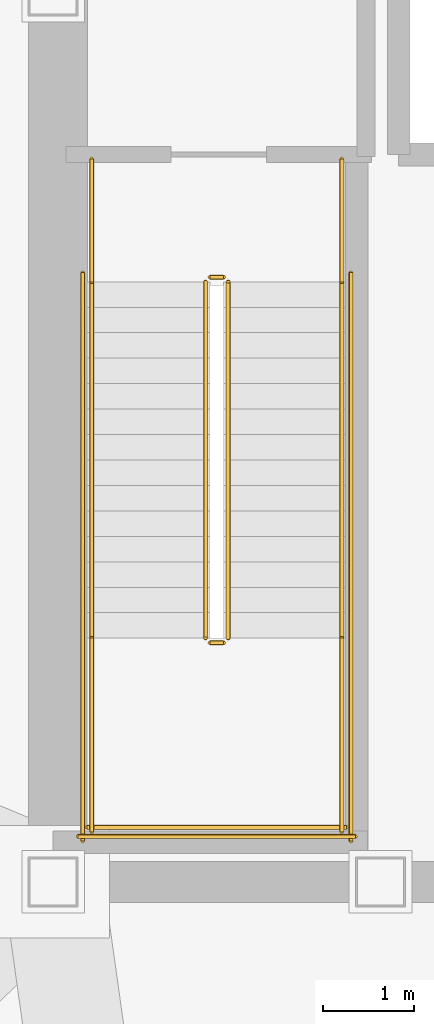
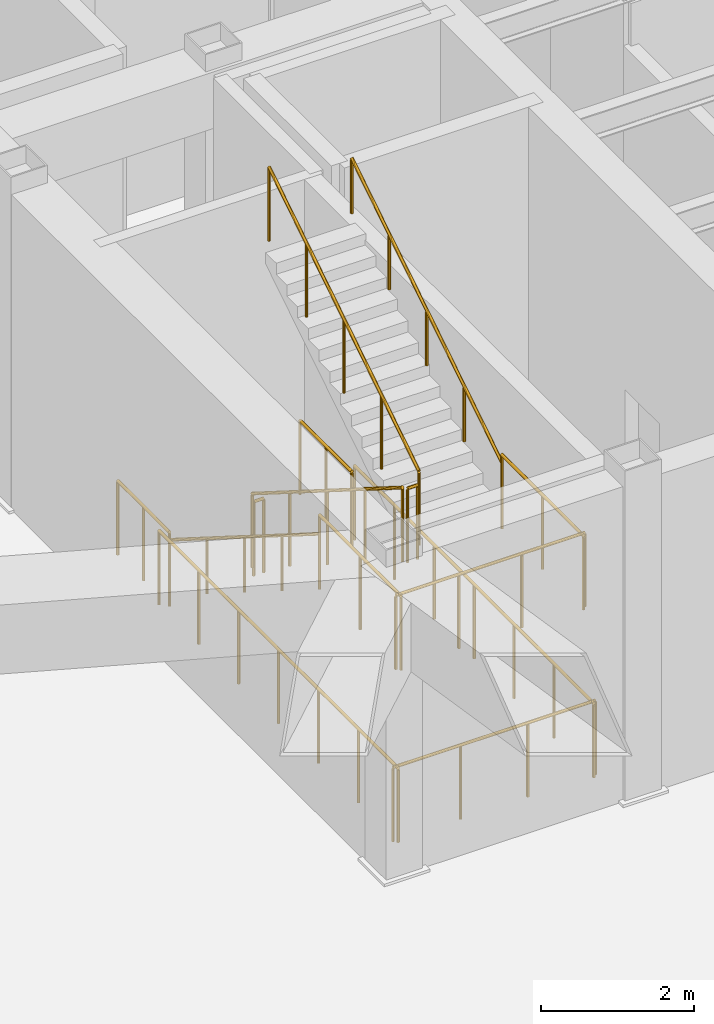
# One storey, part 21 of 22: 14 railings.
"""IFC4 building model written with IfcOpenShell, lengths in metres."""

import ifcopenshell
import ifcopenshell.guid

model = None  # the IFC model being written
_history = None  # IfcOwnerHistory: only IFC2X3 demands one
_inside = {}  # id of a spatial element -> (the spatial element, [elements in it])
_under = {}  # id of a project, library or spatial element -> (it, [spatial elements below it])
_declared = {}  # id of a project -> (the project, [libraries it declares])
_typed = {}  # id of a type object -> (the type object, [elements of that type])
_made_of = {}  # id of a material, layer set ... -> (it, [elements and type objects made of it])


def new_model(schema):
    """Start an empty IFC model of exactly this schema.

    Asked for "IFC4X3", IfcOpenShell would pick the latest addendum, in which some entities
    have other attributes; the version numbers below select the first issue.
    IFC2X3 requires an IfcOwnerHistory on every rooted entity: one is made here for all.
    """
    global model, _history
    if schema == "IFC4X3":
        model = ifcopenshell.file(schema_version=(4, 3, 0, 0))
    else:
        model = ifcopenshell.file(schema=schema)
    _inside.clear()
    _under.clear()
    _declared.clear()
    _typed.clear()
    _made_of.clear()
    _history = None
    if model.schema == "IFC2X3":
        org = make("IfcOrganization", Name="unknown")
        user = make(
            "IfcPersonAndOrganization",
            ThePerson=make("IfcPerson", FamilyName="unknown"),
            TheOrganization=org,
        )
        app = make(
            "IfcApplication",
            ApplicationDeveloper=org,
            Version="unknown",
            ApplicationFullName="unknown",
            ApplicationIdentifier="unknown",
        )
        _history = make(
            "IfcOwnerHistory",
            OwningUser=user,
            OwningApplication=app,
            ChangeAction="ADDED",
            CreationDate=0,
        )
    return model


def make(cls, **values):
    """One entity of the class cls with the attributes given. An attribute that is None is left unset."""
    return model.create_entity(
        cls, **{name: value for name, value in values.items() if value is not None}
    )


def rooted(cls, **values):
    """An entity with a GlobalId (a new one), such as an element, a storey or a relation."""
    return make(cls, GlobalId=ifcopenshell.guid.new(), OwnerHistory=_history, **values)


def si_unit(unit_type, name, prefix=None):
    """IfcSIUnit, for example si_unit("LENGTHUNIT", "METRE", prefix="MILLI")."""
    return make("IfcSIUnit", UnitType=unit_type, Prefix=prefix, Name=name)


def assignment(units):
    """IfcUnitAssignment: the units of a project."""
    return None if units is None else make("IfcUnitAssignment", Units=units)


def point(xyz):
    """IfcCartesianPoint."""
    return None if xyz is None else make("IfcCartesianPoint", Coordinates=xyz)


def direction(xyz):
    """IfcDirection."""
    return None if xyz is None else make("IfcDirection", DirectionRatios=xyz)


def frame(location, z_axis=None, x_axis=None):
    """IfcAxis2Placement3D, a coordinate frame: its origin and axes. An axis left out is left unset."""
    return make(
        "IfcAxis2Placement3D",
        Location=point(location),
        Axis=direction(z_axis),
        RefDirection=direction(x_axis),
    )


def frame_2d(location, x_axis=None):
    """IfcAxis2Placement2D, a coordinate frame in the plane: its origin and x axis."""
    return make(
        "IfcAxis2Placement2D", Location=point(location), RefDirection=direction(x_axis)
    )


def origin():
    """The frame at (0, 0, 0) with its axes left unset."""
    return frame((0.0, 0.0, 0.0))


def origin_2d():
    """The frame at (0, 0) in the plane with its x axis left unset."""
    return frame_2d((0.0, 0.0))


def place(relative_to, where):
    """IfcLocalPlacement: puts the frame where relative to a parent placement (None: the world)."""
    return make(
        "IfcLocalPlacement", PlacementRelTo=relative_to, RelativePlacement=where
    )


def context(
    kind, dimensions, precision=None, world=None, true_north=None, identifier=None
):
    """IfcGeometricRepresentationContext, for example the 3D "Model" context."""
    return make(
        "IfcGeometricRepresentationContext",
        ContextIdentifier=identifier,
        ContextType=kind,
        CoordinateSpaceDimension=dimensions,
        Precision=precision,
        WorldCoordinateSystem=world,
        TrueNorth=true_north,
    )


def subcontext(parent, identifier, kind, view, scale=None):
    """IfcGeometricRepresentationSubContext, for example "Body" below "Model"."""
    return make(
        "IfcGeometricRepresentationSubContext",
        ContextIdentifier=identifier,
        ContextType=kind,
        ParentContext=parent,
        TargetScale=scale,
        TargetView=view,
    )


def project(units=None, contexts=None):
    """IfcProject with its units and contexts."""
    return rooted(
        "IfcProject",
        Name="project",
        RepresentationContexts=contexts,
        UnitsInContext=assignment(units),
    )


def spatial(cls, under=None, at=None, **own):
    """A site, building, storey or space (cls), placed at a placement, below another one or the project."""
    s = rooted(cls, ObjectPlacement=at, **own)
    if under is not None:
        _under.setdefault(under.id(), (under, []))[1].append(s)
    return s


def profile(cls, at=None, kind="AREA", **sizes):
    """A parametric profile (cls). Its sizes go by their IFC names, for example OverallWidth=200.0."""
    return make(cls, ProfileType=kind, Position=at, **sizes)


def circle(**sizes):
    """IfcCircleProfileDef."""
    return profile("IfcCircleProfileDef", **sizes)


def extrude(swept, where, along, depth):
    """IfcExtrudedAreaSolid: the profile swept, set in the frame where, extruded along a direction by depth."""
    return make(
        "IfcExtrudedAreaSolid",
        SweptArea=swept,
        Position=where,
        ExtrudedDirection=direction(along),
        Depth=depth,
    )


def shape(context_of_items, identifier, shape_type, items):
    """IfcShapeRepresentation: the items that make up one representation, for example the "Body"."""
    return make(
        "IfcShapeRepresentation",
        ContextOfItems=context_of_items,
        RepresentationIdentifier=identifier,
        RepresentationType=shape_type,
        Items=items,
    )


def material(Name=None, Category=None):
    """IfcMaterial."""
    return make("IfcMaterial", Name=Name, Category=Category)


def made_of(thing, what):
    """Note that an element or type object is made of a material, layer set ...; save() writes the relation."""
    if what is not None:
        _made_of.setdefault(what.id(), (what, []))[1].append(thing)
    return thing


def type_object(cls, material=None, **own):
    """A type object (cls), such as IfcWallType, which elements share."""
    return made_of(rooted(cls, **own), material)


def element(
    cls,
    number,
    at=None,
    inside=None,
    cuts=None,
    type_object=None,
    material=None,
    context=None,
    identifier="Body",
    shape_type=None,
    held_by="IfcProductDefinitionShape",
    body=None,
    shapes=None,
    **own,
):
    """One element of the class cls, such as IfcWall. Its Tag is "e" and its number.

    at: its placement. inside: the storey or other place that contains it. cuts: it is an
    opening in that element (IfcRelVoidsElement). A single representation is given by context,
    identifier, shape_type and body (its items); several are given by shapes. held_by: the class
    of the entity that holds the representations. save() writes the other relations.
    """
    e = rooted(cls, Tag="e%d" % number, ObjectPlacement=at, **own)
    if body is not None:
        shapes = [shape(context, identifier, shape_type, body)]
    if shapes is not None:
        e.Representation = make(held_by, Representations=shapes)
    if inside is not None:
        _inside.setdefault(inside.id(), (inside, []))[1].append(e)
    if cuts is not None:
        rooted(
            "IfcRelVoidsElement", RelatingBuildingElement=cuts, RelatedOpeningElement=e
        )
    if type_object is not None:
        _typed.setdefault(type_object.id(), (type_object, []))[1].append(e)
    return made_of(e, material)


def aggregate(whole, parts):
    """IfcRelAggregates: a whole, such as a stair, and the parts it consists of."""
    return rooted("IfcRelAggregates", RelatingObject=whole, RelatedObjects=parts)


def save(model, path):
    """Write the relations noted so far, then the file.

    IfcRelAggregates (storeys below a building ...), IfcRelContainedInSpatialStructure (elements
    in a storey), IfcRelDefinesByType, IfcRelAssociatesMaterial and IfcRelDeclares: one each for
    every whole, place, type object, material and project.
    """
    for whole, parts in _under.values():
        aggregate(whole, parts)
    for where, things in _inside.values():
        rooted(
            "IfcRelContainedInSpatialStructure",
            RelatedElements=things,
            RelatingStructure=where,
        )
    for kind, things in _typed.values():
        rooted("IfcRelDefinesByType", RelatedObjects=things, RelatingType=kind)
    for what, things in _made_of.values():
        rooted("IfcRelAssociatesMaterial", RelatedObjects=things, RelatingMaterial=what)
    for by, libraries in _declared.values():
        rooted("IfcRelDeclares", RelatingContext=by, RelatedDefinitions=libraries)
    model.write(path)


model = new_model("IFC4")

# Units and contexts
model_context = context("Model", 3, precision=1e-05, world=origin(), true_north=direction((0.0, 1.0)))
body_context = subcontext(model_context, "Body", "Model", "MODEL_VIEW")
ifc_project = project(units=[si_unit("LENGTHUNIT", "METRE"), si_unit("AREAUNIT", "SQUARE_METRE"), si_unit("VOLUMEUNIT", "CUBIC_METRE"), si_unit("PLANEANGLEUNIT", "RADIAN"), si_unit("MASSUNIT", "GRAM", prefix="KILO")], contexts=[model_context])

# Site, building, storey
site_placement = place(None, origin())
site = spatial("IfcSite", under=ifc_project, at=site_placement, CompositionType="ELEMENT")
building_placement = place(site_placement, origin())
building = spatial("IfcBuilding", under=site, at=building_placement, Name="Voryun Gate Residences", CompositionType="ELEMENT")
storey_placement = place(building_placement, frame((0.0, 0.0, 310.699951171875)))
storey = spatial("IfcBuildingStorey", under=building, at=storey_placement, Name="L77", CompositionType="ELEMENT", Elevation=310.699951171875)

# Railings
ifc_material_1 = material(Name="Painted steel", Category="steel")
railing_type_1 = type_object("IfcRailingType", Name="RAIL_STAIR_GUARD_1200", PredefinedType="GUARDRAIL", material=ifc_material_1)
railing_1_placement = place(storey_placement, frame((-17.52490234375, -0.800048828125, 0.1767578125)))
element("IfcRailing", 1, at=railing_1_placement, inside=storey, type_object=railing_type_1, Name="L77 ST-W1 stair guard 1", PredefinedType="GUARDRAIL", context=body_context, shape_type="SweptSolid", body=[
    extrude(circle(Radius=0.02392578125, at=origin_2d()), frame((0.0, 0.0, 1.17578125), z_axis=(0.0, -0.845717874625, 0.533630280756), x_axis=(1.0, 0.0, 0.0)), (0.0, 0.0, 1.0), 4.635009765625),
    extrude(circle(Radius=0.02099609375, at=origin_2d()), origin(), (0.0, 0.0, 1.0), 1.15185546875),
    extrude(circle(Radius=0.02099609375, at=origin_2d()), frame((0.0, -0.97998046875, 0.618408203125)), (0.0, 0.0, 1.0), 1.15185546875),
    extrude(circle(Radius=0.02099609375, at=origin_2d()), frame((0.0, -1.9599609375, 1.23681640625)), (0.0, 0.0, 1.0), 1.15185546875),
    extrude(circle(Radius=0.02099609375, at=origin_2d()), frame((0.0, -2.93994140625, 1.85498046875)), (0.0, 0.0, 1.0), 1.15185546875),
    extrude(circle(Radius=0.02099609375, at=origin_2d()), frame((0.0, -3.919921875, 2.473388671875)), (0.0, 0.0, 1.0), 1.15185546875),
])
railing_2_placement = place(storey_placement, frame((-17.47509765625, -4.77001953125, 2.650146484375)))
element("IfcRailing", 2, at=railing_2_placement, inside=storey, type_object=railing_type_1, Name="L77 ST-W1 stair guard 2", PredefinedType="GUARDRAIL", context=body_context, shape_type="SweptSolid", body=[
    extrude(circle(Radius=0.02392578125, at=origin_2d()), frame((0.0, 0.0, 1.17578125), z_axis=(1.0, 0.0, 0.0), x_axis=(0.0, 1.0, 0.0)), (0.0, 0.0, 1.0), 0.150146484375),
    extrude(circle(Radius=0.02099609375, at=origin_2d()), origin(), (0.0, 0.0, 1.0), 1.15185546875),
    extrude(circle(Radius=0.02099609375, at=origin_2d()), frame((0.150146484375, 0.0, 0.0)), (0.0, 0.0, 1.0), 1.15185546875),
])
for number, where, name in (
    (3, (-18.77490234375, -4.719970703125, 2.650146484375), "L77 ST-W1 stair guard 3"),
    (4, (-16.02490234375, -4.719970703125, 2.650146484375), "L77 ST-W1 stair guard 4"),
):
    element("IfcRailing", number, at=place(storey_placement, frame(where)), inside=storey, type_object=railing_type_1, Name=name, PredefinedType="GUARDRAIL", context=body_context, shape_type="SweptSolid", body=[
        extrude(circle(Radius=0.02392578125, at=origin_2d()), frame((0.0, 0.0, 1.17578125), z_axis=(0.0, -1.0, 0.0), x_axis=(1.0, 0.0, 0.0)), (0.0, 0.0, 1.0), 2.130126953125),
        extrude(circle(Radius=0.02099609375, at=origin_2d()), origin(), (0.0, 0.0, 1.0), 1.15185546875),
        extrude(circle(Radius=0.02099609375, at=origin_2d()), frame((0.0, -1.06494140625, 0.0)), (0.0, 0.0, 1.0), 1.15185546875),
        extrude(circle(Radius=0.02099609375, at=origin_2d()), frame((0.0, -2.130126953125, 0.0)), (0.0, 0.0, 1.0), 1.15185546875),
    ])
railing_3_placement = place(storey_placement, frame((-18.824951171875, -6.800048828125, 2.650146484375)))
element("IfcRailing", 5, at=railing_3_placement, inside=storey, type_object=railing_type_1, Name="L77 ST-W1 stair guard 5", PredefinedType="GUARDRAIL", context=body_context, shape_type="SweptSolid", body=[
    extrude(circle(Radius=0.02392578125, at=origin_2d()), frame((0.0, 0.0, 1.17578125), z_axis=(1.0, 0.0, 0.0), x_axis=(0.0, 1.0, 0.0)), (0.0, 0.0, 1.0), 2.849853515625),
    extrude(circle(Radius=0.02099609375, at=origin_2d()), origin(), (0.0, 0.0, 1.0), 1.15185546875),
    extrude(circle(Radius=0.02099609375, at=origin_2d()), frame((0.949951171875, 0.0, 0.0)), (0.0, 0.0, 1.0), 1.15185546875),
    extrude(circle(Radius=0.02099609375, at=origin_2d()), frame((1.89990234375, 0.0, 0.0)), (0.0, 0.0, 1.0), 1.15185546875),
    extrude(circle(Radius=0.02099609375, at=origin_2d()), frame((2.849853515625, 0.0, 0.0)), (0.0, 0.0, 1.0), 1.15185546875),
])
railing_4_placement = place(storey_placement, frame((-17.27490234375, -4.719970703125, 2.82666015625)))
element("IfcRailing", 6, at=railing_4_placement, inside=storey, type_object=railing_type_1, Name="L77 ST-W1 stair guard 6", PredefinedType="GUARDRAIL", context=body_context, shape_type="SweptSolid", body=[
    extrude(circle(Radius=0.02392578125, at=origin_2d()), frame((0.0, 0.0, 1.17578125), z_axis=(0.0, 0.845717874625, 0.533630280756), x_axis=(-1.0, 0.0, 0.0)), (0.0, 0.0, 1.0), 4.635009765625),
    extrude(circle(Radius=0.02099609375, at=origin_2d()), origin(), (0.0, 0.0, 1.0), 1.15185546875),
    extrude(circle(Radius=0.02099609375, at=origin_2d()), frame((0.0, 0.97998046875, 0.618408203125)), (0.0, 0.0, 1.0), 1.15185546875),
    extrude(circle(Radius=0.02099609375, at=origin_2d()), frame((0.0, 1.9599609375, 1.23681640625)), (0.0, 0.0, 1.0), 1.15185546875),
    extrude(circle(Radius=0.02099609375, at=origin_2d()), frame((0.0, 2.93994140625, 1.85498046875)), (0.0, 0.0, 1.0), 1.15185546875),
    extrude(circle(Radius=0.02099609375, at=origin_2d()), frame((0.0, 3.919921875, 2.473388671875)), (0.0, 0.0, 1.0), 1.15185546875),
])
railing_5_placement = place(storey_placement, frame((-17.47509765625, -0.75, 0.0)))
element("IfcRailing", 7, at=railing_5_placement, inside=storey, type_object=railing_type_1, Name="L77 ST-W1 stair guard 7", PredefinedType="GUARDRAIL", context=body_context, shape_type="SweptSolid", body=[
    extrude(circle(Radius=0.02392578125, at=origin_2d()), frame((0.0, 0.0, 1.17578125), z_axis=(1.0, 0.0, 0.0), x_axis=(0.0, 1.0, 0.0)), (0.0, 0.0, 1.0), 0.150146484375),
    extrude(circle(Radius=0.02099609375, at=origin_2d()), origin(), (0.0, 0.0, 1.0), 1.15185546875),
    extrude(circle(Radius=0.02099609375, at=origin_2d()), frame((0.150146484375, 0.0, 0.0)), (0.0, 0.0, 1.0), 1.15185546875),
])
for number, where, name in (
    (8, (-18.77490234375, 0.550048828125, 0.0), "L77 ST-W1 stair guard 8"),
    (9, (-16.02490234375, 0.550048828125, 0.0), "L77 ST-W1 stair guard 9"),
):
    element("IfcRailing", number, at=place(storey_placement, frame(where)), inside=storey, type_object=railing_type_1, Name=name, PredefinedType="GUARDRAIL", context=body_context, shape_type="SweptSolid", body=[
        extrude(circle(Radius=0.02392578125, at=origin_2d()), frame((0.0, 0.0, 1.17578125), z_axis=(0.0, -1.0, 0.0), x_axis=(1.0, 0.0, 0.0)), (0.0, 0.0, 1.0), 1.35009765625),
        extrude(circle(Radius=0.02099609375, at=origin_2d()), origin(), (0.0, 0.0, 1.0), 1.15185546875),
        extrude(circle(Radius=0.02099609375, at=origin_2d()), frame((0.0, -0.675048828125, 0.0)), (0.0, 0.0, 1.0), 1.15185546875),
        extrude(circle(Radius=0.02099609375, at=origin_2d()), frame((0.0, -1.35009765625, 0.0)), (0.0, 0.0, 1.0), 1.15185546875),
    ])
for number, where, name in (
    (10, (-18.875, -0.699951171875, 0.0), "L77 ST-W1 stair guard 10"),
    (11, (-15.925048828125, -0.699951171875, 0.0), "L77 ST-W1 stair guard 11"),
):
    element("IfcRailing", number, at=place(storey_placement, frame(where)), inside=storey, type_object=railing_type_1, Name=name, PredefinedType="GUARDRAIL", context=body_context, shape_type="SweptSolid", body=[
        extrude(circle(Radius=0.02392578125, at=origin_2d()), frame((0.0, 0.0, 1.17578125), z_axis=(0.0, -1.0, 0.0), x_axis=(1.0, 0.0, 0.0)), (0.0, 0.0, 1.0), 6.25),
        extrude(circle(Radius=0.02099609375, at=origin_2d()), origin(), (0.0, 0.0, 1.0), 1.15185546875),
        extrude(circle(Radius=0.02099609375, at=origin_2d()), frame((0.0, -1.041748046875, 0.0)), (0.0, 0.0, 1.0), 1.15185546875),
        extrude(circle(Radius=0.02099609375, at=origin_2d()), frame((0.0, -2.083251953125, 0.0)), (0.0, 0.0, 1.0), 1.15185546875),
        extrude(circle(Radius=0.02099609375, at=origin_2d()), frame((0.0, -3.125, 0.0)), (0.0, 0.0, 1.0), 1.15185546875),
        extrude(circle(Radius=0.02099609375, at=origin_2d()), frame((0.0, -4.166748046875, 0.0)), (0.0, 0.0, 1.0), 1.15185546875),
        extrude(circle(Radius=0.02099609375, at=origin_2d()), frame((0.0, -5.208251953125, 0.0)), (0.0, 0.0, 1.0), 1.15185546875),
        extrude(circle(Radius=0.02099609375, at=origin_2d()), frame((0.0, -6.25, 0.0)), (0.0, 0.0, 1.0), 1.15185546875),
    ])
railing_6_placement = place(storey_placement, frame((-18.925048828125, -6.89990234375, 0.0)))
element("IfcRailing", 12, at=railing_6_placement, inside=storey, type_object=railing_type_1, Name="L77 ST-W1 stair guard 12", PredefinedType="GUARDRAIL", context=body_context, shape_type="SweptSolid", body=[
    extrude(circle(Radius=0.02392578125, at=origin_2d()), frame((0.0, 0.0, 1.17578125), z_axis=(1.0, 0.0, 0.0), x_axis=(0.0, 1.0, 0.0)), (0.0, 0.0, 1.0), 3.050048828125),
    extrude(circle(Radius=0.02099609375, at=origin_2d()), origin(), (0.0, 0.0, 1.0), 1.15185546875),
    extrude(circle(Radius=0.02099609375, at=origin_2d()), frame((1.0166015625, 0.0, 0.0)), (0.0, 0.0, 1.0), 1.15185546875),
    extrude(circle(Radius=0.02099609375, at=origin_2d()), frame((2.033447265625, 0.0, 0.0)), (0.0, 0.0, 1.0), 1.15185546875),
    extrude(circle(Radius=0.02099609375, at=origin_2d()), frame((3.050048828125, 0.0, 0.0)), (0.0, 0.0, 1.0), 1.15185546875),
])
ifc_material_2 = material(Name="Painted steel", Category="steel")
railing_type_2 = type_object("IfcRailingType", Name="RAIL_STAIR_HANDRAIL_900", PredefinedType="HANDRAIL", material=ifc_material_2)
railing_7_placement = place(storey_placement, frame((-18.77490234375, -0.800048828125, 0.1767578125)))
element("IfcRailing", 13, at=railing_7_placement, inside=storey, type_object=railing_type_2, Name="L77 ST-W1 stair handrail 1", PredefinedType="HANDRAIL", context=body_context, shape_type="SweptSolid", body=[
    extrude(circle(Radius=0.02392578125, at=origin_2d()), frame((0.0, 0.0, 0.8759765625), z_axis=(0.0, -0.845717874625, 0.533630280756), x_axis=(1.0, 0.0, 0.0)), (0.0, 0.0, 1.0), 4.635009765625),
    extrude(circle(Radius=0.02099609375, at=origin_2d()), origin(), (0.0, 0.0, 1.0), 0.851806640625),
    extrude(circle(Radius=0.02099609375, at=origin_2d()), frame((0.0, -0.97998046875, 0.618408203125)), (0.0, 0.0, 1.0), 0.851806640625),
    extrude(circle(Radius=0.02099609375, at=origin_2d()), frame((0.0, -1.9599609375, 1.23681640625)), (0.0, 0.0, 1.0), 0.851806640625),
    extrude(circle(Radius=0.02099609375, at=origin_2d()), frame((0.0, -2.93994140625, 1.85498046875)), (0.0, 0.0, 1.0), 0.851806640625),
    extrude(circle(Radius=0.02099609375, at=origin_2d()), frame((0.0, -3.919921875, 2.473388671875)), (0.0, 0.0, 1.0), 0.851806640625),
])
railing_8_placement = place(storey_placement, frame((-16.02490234375, -4.719970703125, 2.82666015625)))
element("IfcRailing", 14, at=railing_8_placement, inside=storey, type_object=railing_type_2, Name="L77 ST-W1 stair handrail 2", PredefinedType="HANDRAIL", context=body_context, shape_type="SweptSolid", body=[
    extrude(circle(Radius=0.02392578125, at=origin_2d()), frame((0.0, 0.0, 0.8759765625), z_axis=(0.0, 0.845717874625, 0.533630280756), x_axis=(-1.0, 0.0, 0.0)), (0.0, 0.0, 1.0), 4.635009765625),
    extrude(circle(Radius=0.02099609375, at=origin_2d()), origin(), (0.0, 0.0, 1.0), 0.851806640625),
    extrude(circle(Radius=0.02099609375, at=origin_2d()), frame((0.0, 0.97998046875, 0.618408203125)), (0.0, 0.0, 1.0), 0.851806640625),
    extrude(circle(Radius=0.02099609375, at=origin_2d()), frame((0.0, 1.9599609375, 1.23681640625)), (0.0, 0.0, 1.0), 0.851806640625),
    extrude(circle(Radius=0.02099609375, at=origin_2d()), frame((0.0, 2.93994140625, 1.85498046875)), (0.0, 0.0, 1.0), 0.851806640625),
    extrude(circle(Radius=0.02099609375, at=origin_2d()), frame((0.0, 3.919921875, 2.473388671875)), (0.0, 0.0, 1.0), 0.851806640625),
])

save(model, "model.ifc")
